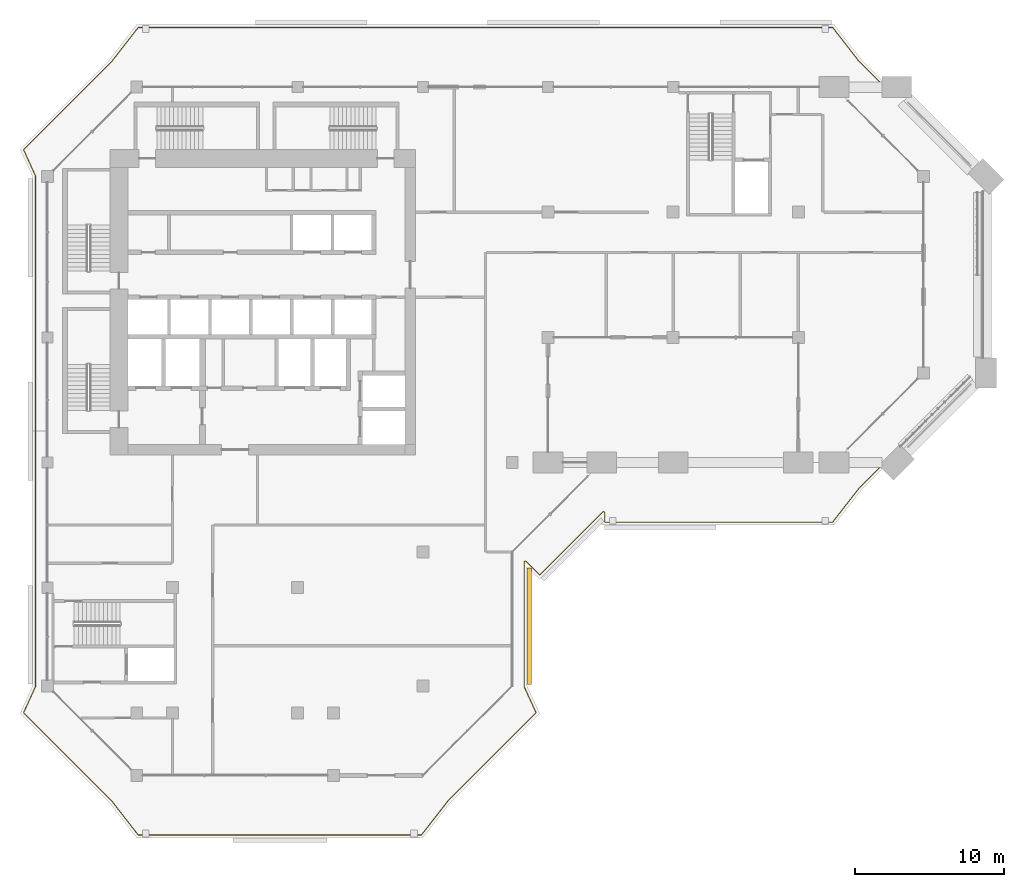
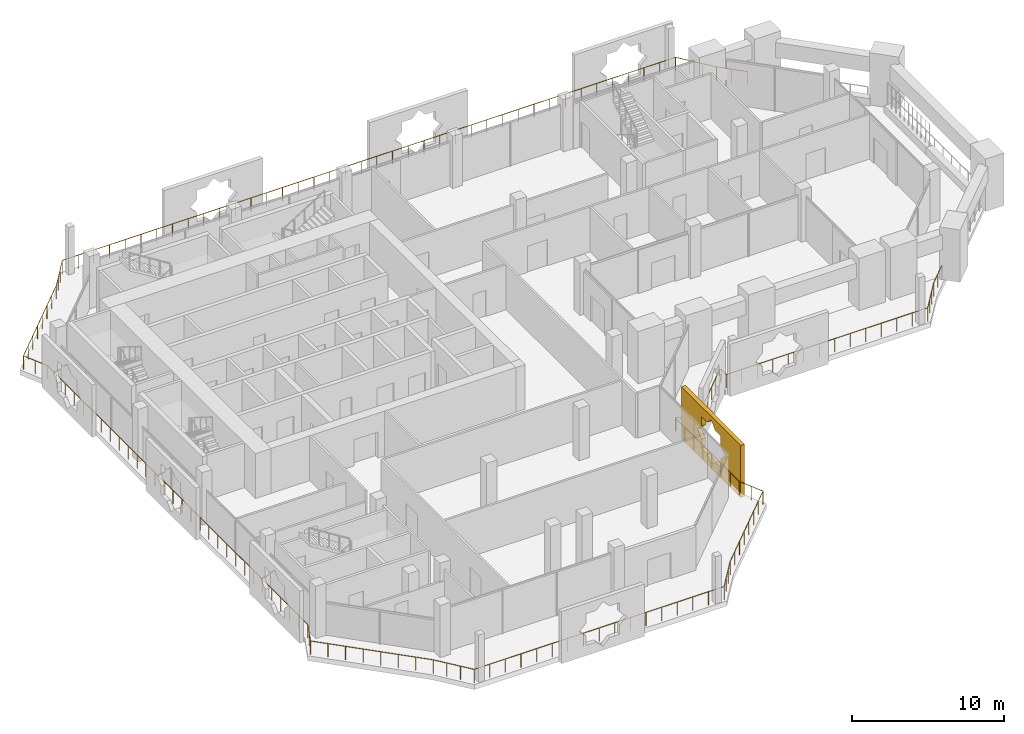
# One storey, part 16 of 20: 1 covering, 1 railing.
"""IFC4 building model written with IfcOpenShell, lengths in metres."""

from ifc_helpers import new_model, si_unit, direction, frame, origin, origin_2d, place, context, subcontext, project, spatial, polyline, circle, outline, extrude, material, material_profile, profile_set, type_object, element, save


model = new_model("IFC4")

# Units and contexts
model_context = context("Model", 3, precision=1e-05, world=origin(), true_north=direction((0.0, 1.0)))
body_context = subcontext(model_context, "Body", "Model", "MODEL_VIEW")
ifc_project = project(units=[si_unit("LENGTHUNIT", "METRE"), si_unit("AREAUNIT", "SQUARE_METRE"), si_unit("VOLUMEUNIT", "CUBIC_METRE"), si_unit("PLANEANGLEUNIT", "RADIAN"), si_unit("MASSUNIT", "GRAM", prefix="KILO")], contexts=[model_context])

# Site, building, storey
site_placement = place(None, origin())
site = spatial("IfcSite", under=ifc_project, at=site_placement, CompositionType="ELEMENT")
building_placement = place(site_placement, origin())
building = spatial("IfcBuilding", under=site, at=building_placement, Name="Kawkab Arch Medical Tower", CompositionType="ELEMENT")
storey_placement = place(building_placement, frame((0.0, 0.0, 277.60009765625)))
storey = spatial("IfcBuildingStorey", under=building, at=storey_placement, Name="L64", CompositionType="ELEMENT", Elevation=277.60009765625)

# Railing
ifc_material_1 = material(Name="Bronze anodised aluminium guard", Category="aluminium")
railing_type = type_object("IfcRailingType", Name="Loggia and terrace guard 1100", PredefinedType="GUARDRAIL", material=ifc_material_1)
railing_placement = place(storey_placement, frame((55.969970703125, -25.424072265625, 0.0)))
element("IfcRailing", 1, at=railing_placement, inside=storey, type_object=railing_type, Name="Guard L64.LOG-01.1.1", PredefinedType="GUARDRAIL", context=body_context, shape_type="SweptSolid", body=[
    extrude(circle(Radius=0.02392578125, at=origin_2d()), frame((0.0, 0.0, 1.076171875), z_axis=(-0.707339803669, -0.706873681888, 0.0), x_axis=(0.706873681888, -0.707339803669, 0.0)), (0.0, 0.0, 1.0), 2.094970703125),
    extrude(circle(Radius=0.02392578125, at=origin_2d()), frame((-1.48193359375, -1.48095703125, 1.076171875), z_axis=(-0.614196313452, -0.789153273162, 0.0), x_axis=(0.789153273162, -0.614196313452, 0.0)), (0.0, 0.0, 1.0), 2.908203125),
    extrude(circle(Radius=0.02392578125, at=origin_2d()), frame((-3.26806640625, -3.77587890625, 1.076171875), z_axis=(-1.0, 0.0, 0.0), x_axis=(0.0, -1.0, 0.0)), (0.0, 0.0, 1.0), 15.302001953125),
    extrude(circle(Radius=0.02392578125, at=origin_2d()), frame((-18.570068359375, -3.77587890625, 1.076171875), z_axis=(0.0, 1.0, 0.0), x_axis=(-1.0, 0.0, 0.0)), (0.0, 0.0, 1.0), 0.6728515625),
    extrude(circle(Radius=0.02392578125, at=origin_2d()), frame((-18.570068359375, -3.10302734375, 1.076171875), z_axis=(-0.923431341387, 0.383763674343, 0.0), x_axis=(-0.383763674343, -0.923431341387, 0.0)), (0.0, 0.0, 1.0), 0.101806640625),
    extrude(circle(Radius=0.02392578125, at=origin_2d()), frame((-18.6640625, -3.06396484375, 1.076171875), z_axis=(-0.707187685852, -0.707025867263, 0.0), x_axis=(0.707025867263, -0.707187685852, 0.0)), (0.0, 0.0, 1.0), 6.034912109375),
    extrude(circle(Radius=0.02392578125, at=origin_2d()), frame((-22.931884765625, -7.330810546875, 1.076171875), z_axis=(-0.707198215437, 0.707015335112, 0.0), x_axis=(-0.707015335112, -0.707198215437, 0.0)), (0.0, 0.0, 1.0), 1.3349609375),
    extrude(circle(Radius=0.02392578125, at=origin_2d()), frame((-23.8759765625, -6.386962890625, 1.076171875), z_axis=(-0.923431341387, -0.383763674343, 0.0), x_axis=(0.383763674343, -0.923431341387, 0.0)), (0.0, 0.0, 1.0), 0.101806640625),
    extrude(circle(Radius=0.02392578125, at=origin_2d()), frame((-23.969970703125, -6.426025390625, 1.076171875), z_axis=(0.0, -1.0, 0.0), x_axis=(1.0, 0.0, 0.0)), (0.0, 0.0, 1.0), 8.392822265625),
    extrude(circle(Radius=0.02392578125, at=origin_2d()), frame((-23.969970703125, -14.81884765625, 1.076171875), z_axis=(0.414509773934, -0.910044860056, 0.0), x_axis=(0.910044860056, 0.414509773934, 0.0)), (0.0, 0.0, 1.0), 1.92529296875),
    extrude(circle(Radius=0.02392578125, at=origin_2d()), frame((-23.171875, -16.571044921875, 1.076171875), z_axis=(-0.707121386154, -0.707092175918, 0.0), x_axis=(0.707092175918, -0.707121386154, 0.0)), (0.0, 0.0, 1.0), 8.358154296875),
    extrude(circle(Radius=0.02392578125, at=origin_2d()), frame((-29.08203125, -22.48095703125, 1.076171875), z_axis=(-0.614144026922, -0.789193964876, 0.0), x_axis=(0.789193964876, -0.614144026922, 0.0)), (0.0, 0.0, 1.0), 2.907958984375),
    extrude(circle(Radius=0.02392578125, at=origin_2d()), frame((-30.867919921875, -24.77587890625, 1.076171875), z_axis=(-1.0, 0.0, 0.0), x_axis=(0.0, -1.0, 0.0)), (0.0, 0.0, 1.0), 19.004150390625),
    extrude(circle(Radius=0.02392578125, at=origin_2d()), frame((-49.8720703125, -24.77587890625, 1.076171875), z_axis=(-0.614144026922, 0.789193964876, 0.0), x_axis=(-0.789193964876, -0.614144026922, 0.0)), (0.0, 0.0, 1.0), 2.907958984375),
    extrude(circle(Radius=0.02392578125, at=origin_2d()), frame((-51.657958984375, -22.48095703125, 1.076171875), z_axis=(-0.707106781187, 0.707106781187, 0.0), x_axis=(-0.707106781187, -0.707106781187, 0.0)), (0.0, 0.0, 1.0), 8.35791015625),
    extrude(circle(Radius=0.02392578125, at=origin_2d()), frame((-57.56787109375, -16.571044921875, 1.076171875), z_axis=(0.414404752076, 0.910092688388, 0.0), x_axis=(-0.910092688388, 0.414404752076, 0.0)), (0.0, 0.0, 1.0), 1.92529296875),
    extrude(circle(Radius=0.02392578125, at=origin_2d()), frame((-56.77001953125, -14.81884765625, 1.076171875), z_axis=(0.0, 1.0, 0.0), x_axis=(-1.0, 0.0, 0.0)), (0.0, 0.0, 1.0), 34.285888671875),
    extrude(circle(Radius=0.02392578125, at=origin_2d()), frame((-56.77001953125, 19.467041015625, 1.076171875), z_axis=(-0.414452581809, 0.910070907914, 0.0), x_axis=(-0.910070907914, -0.414452581809, 0.0)), (0.0, 0.0, 1.0), 1.925048828125),
    extrude(circle(Radius=0.02392578125, at=origin_2d()), frame((-57.56787109375, 21.218994140625, 1.076171875), z_axis=(0.707092175918, 0.707121386154, 0.0), x_axis=(-0.707121386154, 0.707092175918, 0.0)), (0.0, 0.0, 1.0), 8.358154296875),
    extrude(circle(Radius=0.02392578125, at=origin_2d()), frame((-51.657958984375, 27.129150390625, 1.076171875), z_axis=(0.614144026922, 0.789193964876, 0.0), x_axis=(-0.789193964876, 0.614144026922, 0.0)), (0.0, 0.0, 1.0), 2.907958984375),
    extrude(circle(Radius=0.02392578125, at=origin_2d()), frame((-49.8720703125, 29.424072265625, 1.076171875), z_axis=(1.0, 0.0, 0.0), x_axis=(0.0, 1.0, 0.0)), (0.0, 0.0, 1.0), 46.60400390625),
    extrude(circle(Radius=0.02392578125, at=origin_2d()), frame((-3.26806640625, 29.424072265625, 1.076171875), z_axis=(0.614196313452, -0.789153273162, 0.0), x_axis=(0.789153273162, 0.614196313452, 0.0)), (0.0, 0.0, 1.0), 2.908203125),
    extrude(circle(Radius=0.02392578125, at=origin_2d()), frame((-1.48193359375, 27.129150390625, 1.076171875), z_axis=(0.707339803669, -0.706873681888, 0.0), x_axis=(0.706873681888, 0.707339803669, 0.0)), (0.0, 0.0, 1.0), 2.094970703125),
    extrude(circle(Radius=0.02099609375, at=origin_2d()), origin(), (0.0, 0.0, 1.0), 1.052001953125),
    extrude(circle(Radius=0.02099609375, at=origin_2d()), frame((-0.740966796875, -0.740478515625, 0.0)), (0.0, 0.0, 1.0), 1.052001953125),
    extrude(circle(Radius=0.02099609375, at=origin_2d()), frame((-1.48193359375, -1.48095703125, 0.0)), (0.0, 0.0, 1.0), 1.052001953125),
    extrude(circle(Radius=0.02099609375, at=origin_2d()), frame((-2.077392578125, -2.245849609375, 0.0)), (0.0, 0.0, 1.0), 1.052001953125),
    extrude(circle(Radius=0.02099609375, at=origin_2d()), frame((-2.672607421875, -3.010986328125, 0.0)), (0.0, 0.0, 1.0), 1.052001953125),
    extrude(circle(Radius=0.02099609375, at=origin_2d()), frame((-3.26806640625, -3.77587890625, 0.0)), (0.0, 0.0, 1.0), 1.052001953125),
    extrude(circle(Radius=0.02099609375, at=origin_2d()), frame((-4.445068359375, -3.77587890625, 0.0)), (0.0, 0.0, 1.0), 1.052001953125),
    extrude(circle(Radius=0.02099609375, at=origin_2d()), frame((-5.622314453125, -3.77587890625, 0.0)), (0.0, 0.0, 1.0), 1.052001953125),
    extrude(circle(Radius=0.02099609375, at=origin_2d()), frame((-6.79931640625, -3.77587890625, 0.0)), (0.0, 0.0, 1.0), 1.052001953125),
    extrude(circle(Radius=0.02099609375, at=origin_2d()), frame((-7.976318359375, -3.77587890625, 0.0)), (0.0, 0.0, 1.0), 1.052001953125),
    extrude(circle(Radius=0.02099609375, at=origin_2d()), frame((-9.153564453125, -3.77587890625, 0.0)), (0.0, 0.0, 1.0), 1.052001953125),
    extrude(circle(Radius=0.02099609375, at=origin_2d()), frame((-10.33056640625, -3.77587890625, 0.0)), (0.0, 0.0, 1.0), 1.052001953125),
    extrude(circle(Radius=0.02099609375, at=origin_2d()), frame((-11.507568359375, -3.77587890625, 0.0)), (0.0, 0.0, 1.0), 1.052001953125),
    extrude(circle(Radius=0.02099609375, at=origin_2d()), frame((-12.6845703125, -3.77587890625, 0.0)), (0.0, 0.0, 1.0), 1.052001953125),
    extrude(circle(Radius=0.02099609375, at=origin_2d()), frame((-13.86181640625, -3.77587890625, 0.0)), (0.0, 0.0, 1.0), 1.052001953125),
    extrude(circle(Radius=0.02099609375, at=origin_2d()), frame((-15.038818359375, -3.77587890625, 0.0)), (0.0, 0.0, 1.0), 1.052001953125),
    extrude(circle(Radius=0.02099609375, at=origin_2d()), frame((-16.2158203125, -3.77587890625, 0.0)), (0.0, 0.0, 1.0), 1.052001953125),
    extrude(circle(Radius=0.02099609375, at=origin_2d()), frame((-17.39306640625, -3.77587890625, 0.0)), (0.0, 0.0, 1.0), 1.052001953125),
    extrude(circle(Radius=0.02099609375, at=origin_2d()), frame((-18.570068359375, -3.77587890625, 0.0)), (0.0, 0.0, 1.0), 1.052001953125),
    extrude(circle(Radius=0.02099609375, at=origin_2d()), frame((-18.570068359375, -3.10302734375, 0.0)), (0.0, 0.0, 1.0), 1.052001953125),
    extrude(circle(Radius=0.02099609375, at=origin_2d()), frame((-18.6640625, -3.06396484375, 0.0)), (0.0, 0.0, 1.0), 1.052001953125),
    extrude(circle(Radius=0.02099609375, at=origin_2d()), frame((-19.37548828125, -3.775146484375, 0.0)), (0.0, 0.0, 1.0), 1.052001953125),
    extrude(circle(Radius=0.02099609375, at=origin_2d()), frame((-20.086669921875, -4.486328125, 0.0)), (0.0, 0.0, 1.0), 1.052001953125),
    extrude(circle(Radius=0.02099609375, at=origin_2d()), frame((-20.7978515625, -5.197265625, 0.0)), (0.0, 0.0, 1.0), 1.052001953125),
    extrude(circle(Radius=0.02099609375, at=origin_2d()), frame((-21.50927734375, -5.908447265625, 0.0)), (0.0, 0.0, 1.0), 1.052001953125),
    extrude(circle(Radius=0.02099609375, at=origin_2d()), frame((-22.220703125, -6.61962890625, 0.0)), (0.0, 0.0, 1.0), 1.052001953125),
    extrude(circle(Radius=0.02099609375, at=origin_2d()), frame((-22.931884765625, -7.330810546875, 0.0)), (0.0, 0.0, 1.0), 1.052001953125),
    extrude(circle(Radius=0.02099609375, at=origin_2d()), frame((-23.40380859375, -6.85888671875, 0.0)), (0.0, 0.0, 1.0), 1.052001953125),
    extrude(circle(Radius=0.02099609375, at=origin_2d()), frame((-23.8759765625, -6.386962890625, 0.0)), (0.0, 0.0, 1.0), 1.052001953125),
    extrude(circle(Radius=0.02099609375, at=origin_2d()), frame((-23.969970703125, -6.426025390625, 0.0)), (0.0, 0.0, 1.0), 1.052001953125),
    extrude(circle(Radius=0.02099609375, at=origin_2d()), frame((-23.969970703125, -7.625, 0.0)), (0.0, 0.0, 1.0), 1.052001953125),
    extrude(circle(Radius=0.02099609375, at=origin_2d()), frame((-23.969970703125, -8.823974609375, 0.0)), (0.0, 0.0, 1.0), 1.052001953125),
    extrude(circle(Radius=0.02099609375, at=origin_2d()), frame((-23.969970703125, -10.02294921875, 0.0)), (0.0, 0.0, 1.0), 1.052001953125),
    extrude(circle(Radius=0.02099609375, at=origin_2d()), frame((-23.969970703125, -11.221923828125, 0.0)), (0.0, 0.0, 1.0), 1.052001953125),
    extrude(circle(Radius=0.02099609375, at=origin_2d()), frame((-23.969970703125, -12.4208984375, 0.0)), (0.0, 0.0, 1.0), 1.052001953125),
    extrude(circle(Radius=0.02099609375, at=origin_2d()), frame((-23.969970703125, -13.619873046875, 0.0)), (0.0, 0.0, 1.0), 1.052001953125),
    extrude(circle(Radius=0.02099609375, at=origin_2d()), frame((-23.969970703125, -14.81884765625, 0.0)), (0.0, 0.0, 1.0), 1.052001953125),
    extrude(circle(Radius=0.02099609375, at=origin_2d()), frame((-23.57080078125, -15.69482421875, 0.0)), (0.0, 0.0, 1.0), 1.052001953125),
    extrude(circle(Radius=0.02099609375, at=origin_2d()), frame((-23.171875, -16.571044921875, 0.0)), (0.0, 0.0, 1.0), 1.052001953125),
    extrude(circle(Radius=0.02099609375, at=origin_2d()), frame((-24.01611328125, -17.415283203125, 0.0)), (0.0, 0.0, 1.0), 1.052001953125),
    extrude(circle(Radius=0.02099609375, at=origin_2d()), frame((-24.860595703125, -18.259521484375, 0.0)), (0.0, 0.0, 1.0), 1.052001953125),
    extrude(circle(Radius=0.02099609375, at=origin_2d()), frame((-25.704833984375, -19.103759765625, 0.0)), (0.0, 0.0, 1.0), 1.052001953125),
    extrude(circle(Radius=0.02099609375, at=origin_2d()), frame((-26.549072265625, -19.9482421875, 0.0)), (0.0, 0.0, 1.0), 1.052001953125),
    extrude(circle(Radius=0.02099609375, at=origin_2d()), frame((-27.393310546875, -20.79248046875, 0.0)), (0.0, 0.0, 1.0), 1.052001953125),
    extrude(circle(Radius=0.02099609375, at=origin_2d()), frame((-28.23779296875, -21.63671875, 0.0)), (0.0, 0.0, 1.0), 1.052001953125),
    extrude(circle(Radius=0.02099609375, at=origin_2d()), frame((-29.08203125, -22.48095703125, 0.0)), (0.0, 0.0, 1.0), 1.052001953125),
    extrude(circle(Radius=0.02099609375, at=origin_2d()), frame((-29.67724609375, -23.245849609375, 0.0)), (0.0, 0.0, 1.0), 1.052001953125),
    extrude(circle(Radius=0.02099609375, at=origin_2d()), frame((-30.272705078125, -24.010986328125, 0.0)), (0.0, 0.0, 1.0), 1.052001953125),
    extrude(circle(Radius=0.02099609375, at=origin_2d()), frame((-30.867919921875, -24.77587890625, 0.0)), (0.0, 0.0, 1.0), 1.052001953125),
    extrude(circle(Radius=0.02099609375, at=origin_2d()), frame((-32.0556640625, -24.77587890625, 0.0)), (0.0, 0.0, 1.0), 1.052001953125),
    extrude(circle(Radius=0.02099609375, at=origin_2d()), frame((-33.243408203125, -24.77587890625, 0.0)), (0.0, 0.0, 1.0), 1.052001953125),
    extrude(circle(Radius=0.02099609375, at=origin_2d()), frame((-34.43115234375, -24.77587890625, 0.0)), (0.0, 0.0, 1.0), 1.052001953125),
    extrude(circle(Radius=0.02099609375, at=origin_2d()), frame((-35.618896484375, -24.77587890625, 0.0)), (0.0, 0.0, 1.0), 1.052001953125),
    extrude(circle(Radius=0.02099609375, at=origin_2d()), frame((-36.806640625, -24.77587890625, 0.0)), (0.0, 0.0, 1.0), 1.052001953125),
    extrude(circle(Radius=0.02099609375, at=origin_2d()), frame((-37.994384765625, -24.77587890625, 0.0)), (0.0, 0.0, 1.0), 1.052001953125),
    extrude(circle(Radius=0.02099609375, at=origin_2d()), frame((-39.18212890625, -24.77587890625, 0.0)), (0.0, 0.0, 1.0), 1.052001953125),
    extrude(circle(Radius=0.02099609375, at=origin_2d()), frame((-40.3701171875, -24.77587890625, 0.0)), (0.0, 0.0, 1.0), 1.052001953125),
    extrude(circle(Radius=0.02099609375, at=origin_2d()), frame((-41.557861328125, -24.77587890625, 0.0)), (0.0, 0.0, 1.0), 1.052001953125),
    extrude(circle(Radius=0.02099609375, at=origin_2d()), frame((-42.74560546875, -24.77587890625, 0.0)), (0.0, 0.0, 1.0), 1.052001953125),
    extrude(circle(Radius=0.02099609375, at=origin_2d()), frame((-43.933349609375, -24.77587890625, 0.0)), (0.0, 0.0, 1.0), 1.052001953125),
    extrude(circle(Radius=0.02099609375, at=origin_2d()), frame((-45.12109375, -24.77587890625, 0.0)), (0.0, 0.0, 1.0), 1.052001953125),
    extrude(circle(Radius=0.02099609375, at=origin_2d()), frame((-46.308837890625, -24.77587890625, 0.0)), (0.0, 0.0, 1.0), 1.052001953125),
    extrude(circle(Radius=0.02099609375, at=origin_2d()), frame((-47.49658203125, -24.77587890625, 0.0)), (0.0, 0.0, 1.0), 1.052001953125),
    extrude(circle(Radius=0.02099609375, at=origin_2d()), frame((-48.684326171875, -24.77587890625, 0.0)), (0.0, 0.0, 1.0), 1.052001953125),
    extrude(circle(Radius=0.02099609375, at=origin_2d()), frame((-49.8720703125, -24.77587890625, 0.0)), (0.0, 0.0, 1.0), 1.052001953125),
    extrude(circle(Radius=0.02099609375, at=origin_2d()), frame((-50.46728515625, -24.010986328125, 0.0)), (0.0, 0.0, 1.0), 1.052001953125),
    extrude(circle(Radius=0.02099609375, at=origin_2d()), frame((-51.062744140625, -23.245849609375, 0.0)), (0.0, 0.0, 1.0), 1.052001953125),
    extrude(circle(Radius=0.02099609375, at=origin_2d()), frame((-51.657958984375, -22.48095703125, 0.0)), (0.0, 0.0, 1.0), 1.052001953125),
    extrude(circle(Radius=0.02099609375, at=origin_2d()), frame((-52.502197265625, -21.63671875, 0.0)), (0.0, 0.0, 1.0), 1.052001953125),
    extrude(circle(Radius=0.02099609375, at=origin_2d()), frame((-53.346435546875, -20.79248046875, 0.0)), (0.0, 0.0, 1.0), 1.052001953125),
    extrude(circle(Radius=0.02099609375, at=origin_2d()), frame((-54.190673828125, -19.9482421875, 0.0)), (0.0, 0.0, 1.0), 1.052001953125),
    extrude(circle(Radius=0.02099609375, at=origin_2d()), frame((-55.03515625, -19.103759765625, 0.0)), (0.0, 0.0, 1.0), 1.052001953125),
    extrude(circle(Radius=0.02099609375, at=origin_2d()), frame((-55.87939453125, -18.259521484375, 0.0)), (0.0, 0.0, 1.0), 1.052001953125),
    extrude(circle(Radius=0.02099609375, at=origin_2d()), frame((-56.7236328125, -17.415283203125, 0.0)), (0.0, 0.0, 1.0), 1.052001953125),
    extrude(circle(Radius=0.02099609375, at=origin_2d()), frame((-57.56787109375, -16.571044921875, 0.0)), (0.0, 0.0, 1.0), 1.052001953125),
    extrude(circle(Radius=0.02099609375, at=origin_2d()), frame((-57.1689453125, -15.69482421875, 0.0)), (0.0, 0.0, 1.0), 1.052001953125),
    extrude(circle(Radius=0.02099609375, at=origin_2d()), frame((-56.77001953125, -14.81884765625, 0.0)), (0.0, 0.0, 1.0), 1.052001953125),
    extrude(circle(Radius=0.02099609375, at=origin_2d()), frame((-56.77001953125, -13.636474609375, 0.0)), (0.0, 0.0, 1.0), 1.052001953125),
    extrude(circle(Radius=0.02099609375, at=origin_2d()), frame((-56.77001953125, -12.454345703125, 0.0)), (0.0, 0.0, 1.0), 1.052001953125),
    extrude(circle(Radius=0.02099609375, at=origin_2d()), frame((-56.77001953125, -11.27197265625, 0.0)), (0.0, 0.0, 1.0), 1.052001953125),
    extrude(circle(Radius=0.02099609375, at=origin_2d()), frame((-56.77001953125, -10.08984375, 0.0)), (0.0, 0.0, 1.0), 1.052001953125),
    extrude(circle(Radius=0.02099609375, at=origin_2d()), frame((-56.77001953125, -8.907470703125, 0.0)), (0.0, 0.0, 1.0), 1.052001953125),
    extrude(circle(Radius=0.02099609375, at=origin_2d()), frame((-56.77001953125, -7.72509765625, 0.0)), (0.0, 0.0, 1.0), 1.052001953125),
    extrude(circle(Radius=0.02099609375, at=origin_2d()), frame((-56.77001953125, -6.54296875, 0.0)), (0.0, 0.0, 1.0), 1.052001953125),
    extrude(circle(Radius=0.02099609375, at=origin_2d()), frame((-56.77001953125, -5.360595703125, 0.0)), (0.0, 0.0, 1.0), 1.052001953125),
    extrude(circle(Radius=0.02099609375, at=origin_2d()), frame((-56.77001953125, -4.178466796875, 0.0)), (0.0, 0.0, 1.0), 1.052001953125),
    extrude(circle(Radius=0.02099609375, at=origin_2d()), frame((-56.77001953125, -2.99609375, 0.0)), (0.0, 0.0, 1.0), 1.052001953125),
    extrude(circle(Radius=0.02099609375, at=origin_2d()), frame((-56.77001953125, -1.81396484375, 0.0)), (0.0, 0.0, 1.0), 1.052001953125),
    extrude(circle(Radius=0.02099609375, at=origin_2d()), frame((-56.77001953125, -0.631591796875, 0.0)), (0.0, 0.0, 1.0), 1.052001953125),
    extrude(circle(Radius=0.02099609375, at=origin_2d()), frame((-56.77001953125, 0.55078125, 0.0)), (0.0, 0.0, 1.0), 1.052001953125),
    extrude(circle(Radius=0.02099609375, at=origin_2d()), frame((-56.77001953125, 1.73291015625, 0.0)), (0.0, 0.0, 1.0), 1.052001953125),
    extrude(circle(Radius=0.02099609375, at=origin_2d()), frame((-56.77001953125, 2.915283203125, 0.0)), (0.0, 0.0, 1.0), 1.052001953125),
    extrude(circle(Radius=0.02099609375, at=origin_2d()), frame((-56.77001953125, 4.097412109375, 0.0)), (0.0, 0.0, 1.0), 1.052001953125),
    extrude(circle(Radius=0.02099609375, at=origin_2d()), frame((-56.77001953125, 5.27978515625, 0.0)), (0.0, 0.0, 1.0), 1.052001953125),
    extrude(circle(Radius=0.02099609375, at=origin_2d()), frame((-56.77001953125, 6.462158203125, 0.0)), (0.0, 0.0, 1.0), 1.052001953125),
    extrude(circle(Radius=0.02099609375, at=origin_2d()), frame((-56.77001953125, 7.644287109375, 0.0)), (0.0, 0.0, 1.0), 1.052001953125),
    extrude(circle(Radius=0.02099609375, at=origin_2d()), frame((-56.77001953125, 8.82666015625, 0.0)), (0.0, 0.0, 1.0), 1.052001953125),
    extrude(circle(Radius=0.02099609375, at=origin_2d()), frame((-56.77001953125, 10.0087890625, 0.0)), (0.0, 0.0, 1.0), 1.052001953125),
    extrude(circle(Radius=0.02099609375, at=origin_2d()), frame((-56.77001953125, 11.191162109375, 0.0)), (0.0, 0.0, 1.0), 1.052001953125),
    extrude(circle(Radius=0.02099609375, at=origin_2d()), frame((-56.77001953125, 12.373291015625, 0.0)), (0.0, 0.0, 1.0), 1.052001953125),
    extrude(circle(Radius=0.02099609375, at=origin_2d()), frame((-56.77001953125, 13.5556640625, 0.0)), (0.0, 0.0, 1.0), 1.052001953125),
    extrude(circle(Radius=0.02099609375, at=origin_2d()), frame((-56.77001953125, 14.738037109375, 0.0)), (0.0, 0.0, 1.0), 1.052001953125),
    extrude(circle(Radius=0.02099609375, at=origin_2d()), frame((-56.77001953125, 15.920166015625, 0.0)), (0.0, 0.0, 1.0), 1.052001953125),
    extrude(circle(Radius=0.02099609375, at=origin_2d()), frame((-56.77001953125, 17.1025390625, 0.0)), (0.0, 0.0, 1.0), 1.052001953125),
    extrude(circle(Radius=0.02099609375, at=origin_2d()), frame((-56.77001953125, 18.28466796875, 0.0)), (0.0, 0.0, 1.0), 1.052001953125),
    extrude(circle(Radius=0.02099609375, at=origin_2d()), frame((-56.77001953125, 19.467041015625, 0.0)), (0.0, 0.0, 1.0), 1.052001953125),
    extrude(circle(Radius=0.02099609375, at=origin_2d()), frame((-57.1689453125, 20.343017578125, 0.0)), (0.0, 0.0, 1.0), 1.052001953125),
    extrude(circle(Radius=0.02099609375, at=origin_2d()), frame((-57.56787109375, 21.218994140625, 0.0)), (0.0, 0.0, 1.0), 1.052001953125),
    extrude(circle(Radius=0.02099609375, at=origin_2d()), frame((-56.7236328125, 22.063232421875, 0.0)), (0.0, 0.0, 1.0), 1.052001953125),
    extrude(circle(Radius=0.02099609375, at=origin_2d()), frame((-55.87939453125, 22.90771484375, 0.0)), (0.0, 0.0, 1.0), 1.052001953125),
    extrude(circle(Radius=0.02099609375, at=origin_2d()), frame((-55.03515625, 23.751953125, 0.0)), (0.0, 0.0, 1.0), 1.052001953125),
    extrude(circle(Radius=0.02099609375, at=origin_2d()), frame((-54.190673828125, 24.59619140625, 0.0)), (0.0, 0.0, 1.0), 1.052001953125),
    extrude(circle(Radius=0.02099609375, at=origin_2d()), frame((-53.346435546875, 25.4404296875, 0.0)), (0.0, 0.0, 1.0), 1.052001953125),
    extrude(circle(Radius=0.02099609375, at=origin_2d()), frame((-52.502197265625, 26.284912109375, 0.0)), (0.0, 0.0, 1.0), 1.052001953125),
    extrude(circle(Radius=0.02099609375, at=origin_2d()), frame((-51.657958984375, 27.129150390625, 0.0)), (0.0, 0.0, 1.0), 1.052001953125),
    extrude(circle(Radius=0.02099609375, at=origin_2d()), frame((-51.062744140625, 27.89404296875, 0.0)), (0.0, 0.0, 1.0), 1.052001953125),
    extrude(circle(Radius=0.02099609375, at=origin_2d()), frame((-50.46728515625, 28.6591796875, 0.0)), (0.0, 0.0, 1.0), 1.052001953125),
    extrude(circle(Radius=0.02099609375, at=origin_2d()), frame((-49.8720703125, 29.424072265625, 0.0)), (0.0, 0.0, 1.0), 1.052001953125),
    extrude(circle(Radius=0.02099609375, at=origin_2d()), frame((-48.677001953125, 29.424072265625, 0.0)), (0.0, 0.0, 1.0), 1.052001953125),
    extrude(circle(Radius=0.02099609375, at=origin_2d()), frame((-47.482177734375, 29.424072265625, 0.0)), (0.0, 0.0, 1.0), 1.052001953125),
    extrude(circle(Radius=0.02099609375, at=origin_2d()), frame((-46.287109375, 29.424072265625, 0.0)), (0.0, 0.0, 1.0), 1.052001953125),
    extrude(circle(Radius=0.02099609375, at=origin_2d()), frame((-45.09228515625, 29.424072265625, 0.0)), (0.0, 0.0, 1.0), 1.052001953125),
    extrude(circle(Radius=0.02099609375, at=origin_2d()), frame((-43.897216796875, 29.424072265625, 0.0)), (0.0, 0.0, 1.0), 1.052001953125),
    extrude(circle(Radius=0.02099609375, at=origin_2d()), frame((-42.7021484375, 29.424072265625, 0.0)), (0.0, 0.0, 1.0), 1.052001953125),
    extrude(circle(Radius=0.02099609375, at=origin_2d()), frame((-41.50732421875, 29.424072265625, 0.0)), (0.0, 0.0, 1.0), 1.052001953125),
    extrude(circle(Radius=0.02099609375, at=origin_2d()), frame((-40.312255859375, 29.424072265625, 0.0)), (0.0, 0.0, 1.0), 1.052001953125),
    extrude(circle(Radius=0.02099609375, at=origin_2d()), frame((-39.1171875, 29.424072265625, 0.0)), (0.0, 0.0, 1.0), 1.052001953125),
    extrude(circle(Radius=0.02099609375, at=origin_2d()), frame((-37.92236328125, 29.424072265625, 0.0)), (0.0, 0.0, 1.0), 1.052001953125),
    extrude(circle(Radius=0.02099609375, at=origin_2d()), frame((-36.727294921875, 29.424072265625, 0.0)), (0.0, 0.0, 1.0), 1.052001953125),
    extrude(circle(Radius=0.02099609375, at=origin_2d()), frame((-35.532470703125, 29.424072265625, 0.0)), (0.0, 0.0, 1.0), 1.052001953125),
    extrude(circle(Radius=0.02099609375, at=origin_2d()), frame((-34.33740234375, 29.424072265625, 0.0)), (0.0, 0.0, 1.0), 1.052001953125),
    extrude(circle(Radius=0.02099609375, at=origin_2d()), frame((-33.142333984375, 29.424072265625, 0.0)), (0.0, 0.0, 1.0), 1.052001953125),
    extrude(circle(Radius=0.02099609375, at=origin_2d()), frame((-31.947509765625, 29.424072265625, 0.0)), (0.0, 0.0, 1.0), 1.052001953125),
    extrude(circle(Radius=0.02099609375, at=origin_2d()), frame((-30.75244140625, 29.424072265625, 0.0)), (0.0, 0.0, 1.0), 1.052001953125),
    extrude(circle(Radius=0.02099609375, at=origin_2d()), frame((-29.5576171875, 29.424072265625, 0.0)), (0.0, 0.0, 1.0), 1.052001953125),
    extrude(circle(Radius=0.02099609375, at=origin_2d()), frame((-28.362548828125, 29.424072265625, 0.0)), (0.0, 0.0, 1.0), 1.052001953125),
    extrude(circle(Radius=0.02099609375, at=origin_2d()), frame((-27.16748046875, 29.424072265625, 0.0)), (0.0, 0.0, 1.0), 1.052001953125),
    extrude(circle(Radius=0.02099609375, at=origin_2d()), frame((-25.97265625, 29.424072265625, 0.0)), (0.0, 0.0, 1.0), 1.052001953125),
    extrude(circle(Radius=0.02099609375, at=origin_2d()), frame((-24.777587890625, 29.424072265625, 0.0)), (0.0, 0.0, 1.0), 1.052001953125),
    extrude(circle(Radius=0.02099609375, at=origin_2d()), frame((-23.58251953125, 29.424072265625, 0.0)), (0.0, 0.0, 1.0), 1.052001953125),
    extrude(circle(Radius=0.02099609375, at=origin_2d()), frame((-22.3876953125, 29.424072265625, 0.0)), (0.0, 0.0, 1.0), 1.052001953125),
    extrude(circle(Radius=0.02099609375, at=origin_2d()), frame((-21.192626953125, 29.424072265625, 0.0)), (0.0, 0.0, 1.0), 1.052001953125),
    extrude(circle(Radius=0.02099609375, at=origin_2d()), frame((-19.997802734375, 29.424072265625, 0.0)), (0.0, 0.0, 1.0), 1.052001953125),
    extrude(circle(Radius=0.02099609375, at=origin_2d()), frame((-18.802734375, 29.424072265625, 0.0)), (0.0, 0.0, 1.0), 1.052001953125),
    extrude(circle(Radius=0.02099609375, at=origin_2d()), frame((-17.607666015625, 29.424072265625, 0.0)), (0.0, 0.0, 1.0), 1.052001953125),
    extrude(circle(Radius=0.02099609375, at=origin_2d()), frame((-16.412841796875, 29.424072265625, 0.0)), (0.0, 0.0, 1.0), 1.052001953125),
    extrude(circle(Radius=0.02099609375, at=origin_2d()), frame((-15.2177734375, 29.424072265625, 0.0)), (0.0, 0.0, 1.0), 1.052001953125),
    extrude(circle(Radius=0.02099609375, at=origin_2d()), frame((-14.02294921875, 29.424072265625, 0.0)), (0.0, 0.0, 1.0), 1.052001953125),
    extrude(circle(Radius=0.02099609375, at=origin_2d()), frame((-12.827880859375, 29.424072265625, 0.0)), (0.0, 0.0, 1.0), 1.052001953125),
    extrude(circle(Radius=0.02099609375, at=origin_2d()), frame((-11.6328125, 29.424072265625, 0.0)), (0.0, 0.0, 1.0), 1.052001953125),
    extrude(circle(Radius=0.02099609375, at=origin_2d()), frame((-10.43798828125, 29.424072265625, 0.0)), (0.0, 0.0, 1.0), 1.052001953125),
    extrude(circle(Radius=0.02099609375, at=origin_2d()), frame((-9.242919921875, 29.424072265625, 0.0)), (0.0, 0.0, 1.0), 1.052001953125),
    extrude(circle(Radius=0.02099609375, at=origin_2d()), frame((-8.0478515625, 29.424072265625, 0.0)), (0.0, 0.0, 1.0), 1.052001953125),
    extrude(circle(Radius=0.02099609375, at=origin_2d()), frame((-6.85302734375, 29.424072265625, 0.0)), (0.0, 0.0, 1.0), 1.052001953125),
    extrude(circle(Radius=0.02099609375, at=origin_2d()), frame((-5.657958984375, 29.424072265625, 0.0)), (0.0, 0.0, 1.0), 1.052001953125),
    extrude(circle(Radius=0.02099609375, at=origin_2d()), frame((-4.463134765625, 29.424072265625, 0.0)), (0.0, 0.0, 1.0), 1.052001953125),
    extrude(circle(Radius=0.02099609375, at=origin_2d()), frame((-3.26806640625, 29.424072265625, 0.0)), (0.0, 0.0, 1.0), 1.052001953125),
    extrude(circle(Radius=0.02099609375, at=origin_2d()), frame((-2.672607421875, 28.6591796875, 0.0)), (0.0, 0.0, 1.0), 1.052001953125),
    extrude(circle(Radius=0.02099609375, at=origin_2d()), frame((-2.077392578125, 27.89404296875, 0.0)), (0.0, 0.0, 1.0), 1.052001953125),
    extrude(circle(Radius=0.02099609375, at=origin_2d()), frame((-1.48193359375, 27.129150390625, 0.0)), (0.0, 0.0, 1.0), 1.052001953125),
    extrude(circle(Radius=0.02099609375, at=origin_2d()), frame((-0.740966796875, 26.388671875, 0.0)), (0.0, 0.0, 1.0), 1.052001953125),
    extrude(circle(Radius=0.02099609375, at=origin_2d()), frame((0.0, 25.648193359375, 0.0)), (0.0, 0.0, 1.0), 1.052001953125),
])

# Covering
ifc_material_2 = material(Name="Bronze anodised aluminium mashrabiya panel, eight-point star pattern", Category="aluminium")
ifc_material_profile = material_profile(ifc_material_2, outline(polyline([(-3.89990234375, -2.10009765625), (3.89990234375, -2.10009765625), (3.89990234375, 2.10009765625), (-3.89990234375, 2.10009765625), (-3.89990234375, -2.10009765625)]), holes=[polyline([(1.800048828125, 0.0), (1.272705078125, 0.527099609375), (1.272705078125, 1.272705078125), (0.527099609375, 1.272705078125), (0.0, 1.800048828125), (-0.527099609375, 1.272705078125), (-1.272705078125, 1.272705078125), (-1.272705078125, 0.527099609375), (-1.800048828125, 0.0), (-1.272705078125, -0.527099609375), (-1.272705078125, -1.272705078125), (-0.527099609375, -1.272705078125), (0.0, -1.800048828125), (0.527099609375, -1.272705078125), (1.272705078125, -1.272705078125), (1.272705078125, -0.527099609375), (1.800048828125, 0.0)])]), Name="Mashrabiya panel 7800x4200")
ifc_profile_set = profile_set([ifc_material_profile], Name="Bronze anodised aluminium mashrabiya panel, eight-point star pattern")
covering_type = type_object("IfcCoveringType", Name="Mashrabiya panel 7800 x 4200", PredefinedType="USERDEFINED", material=ifc_profile_set)
covering_placement = place(storey_placement, frame((32.199951171875, -36.1923828125, 1.699951171875), z_axis=(1.0, 0.0, 0.0), x_axis=(0.0, 1.0, 0.0)))
element("IfcCovering", 2, at=covering_placement, inside=storey, type_object=covering_type, Name="Mashrabiya panel L64.LOG-01-01.3", ObjectType="SCREEN", PredefinedType="USERDEFINED", context=body_context, shape_type="SweptSolid", body=[
    extrude(outline(polyline([(-3.89990234375, -2.10009765625), (3.89990234375, -2.10009765625), (3.89990234375, 2.10009765625), (-3.89990234375, 2.10009765625), (-3.89990234375, -2.10009765625)]), holes=[polyline([(1.800048828125, 0.0), (1.272705078125, 0.527099609375), (1.272705078125, 1.272705078125), (0.527099609375, 1.272705078125), (0.0, 1.800048828125), (-0.527099609375, 1.272705078125), (-1.272705078125, 1.272705078125), (-1.272705078125, 0.527099609375), (-1.800048828125, 0.0), (-1.272705078125, -0.527099609375), (-1.272705078125, -1.272705078125), (-0.527099609375, -1.272705078125), (0.0, -1.800048828125), (0.527099609375, -1.272705078125), (1.272705078125, -1.272705078125), (1.272705078125, -0.527099609375), (1.800048828125, 0.0)])]), origin(), (0.0, 0.0, 1.0), 0.300048828125),
])

save(model, "model.ifc")
